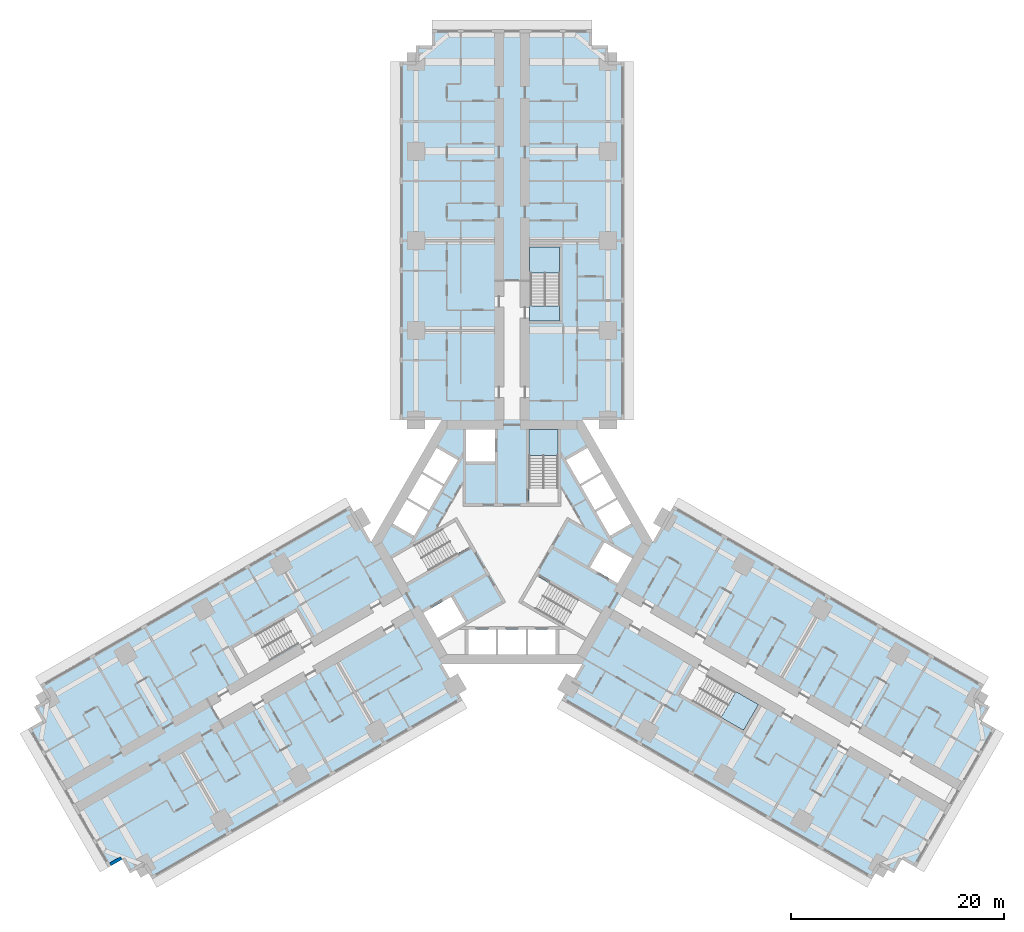
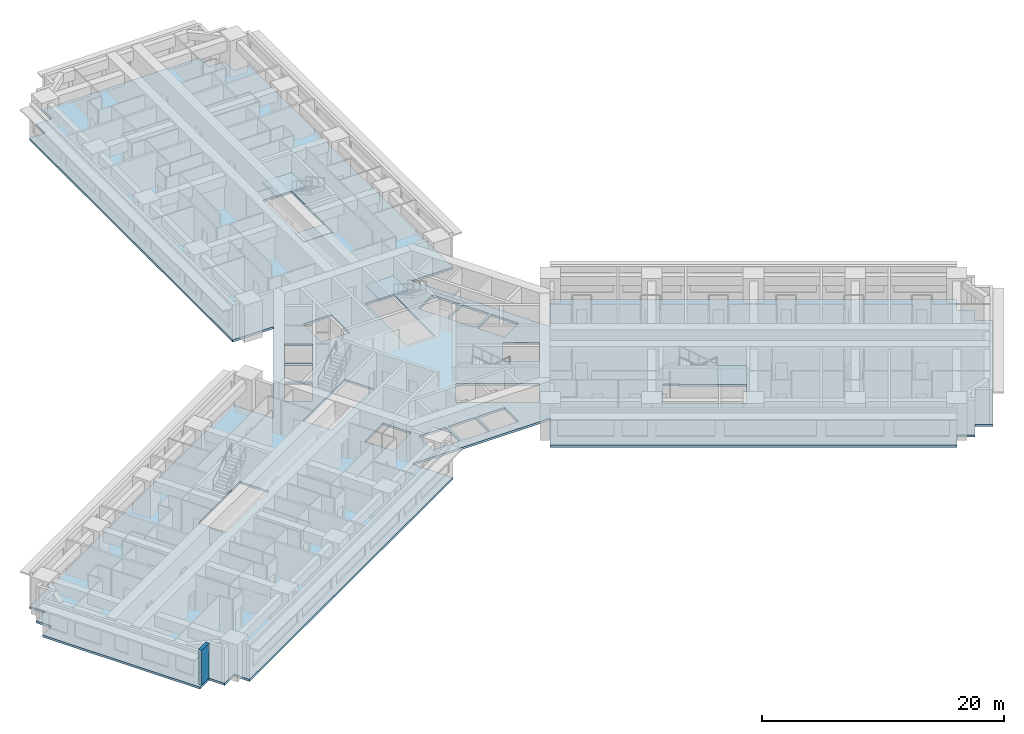
# One storey, part 2 of 16: 5 slabs, 1 wall, 3 elements without a shape of their own.
"""IFC4 building model written with IfcOpenShell, lengths in metres."""

from ifc_helpers import new_model, si_unit, direction, frame, frame_2d, origin, place, context, subcontext, project, spatial, polyline, rectangle, outline, extrude, material, layer, layer_set, type_object, element, aggregate, save


model = new_model("IFC4")

# Units and contexts
model_context = context("Model", 3, precision=1e-05, world=origin(), true_north=direction((0.0, 1.0)))
body_context = subcontext(model_context, "Body", "Model", "MODEL_VIEW")
ifc_project = project(units=[si_unit("LENGTHUNIT", "METRE"), si_unit("AREAUNIT", "SQUARE_METRE"), si_unit("VOLUMEUNIT", "CUBIC_METRE"), si_unit("PLANEANGLEUNIT", "RADIAN"), si_unit("MASSUNIT", "GRAM", prefix="KILO")], contexts=[model_context])

# Site, building, storey
site_placement = place(None, origin())
site = spatial("IfcSite", under=ifc_project, at=site_placement, CompositionType="ELEMENT")
building_placement = place(site_placement, origin())
building = spatial("IfcBuilding", under=site, at=building_placement, Name="Impinga Residences", CompositionType="ELEMENT")
storey_placement = place(building_placement, frame((0.0, 0.0, 44.75)))
storey = spatial("IfcBuildingStorey", under=building, at=storey_placement, Name="L10", CompositionType="ELEMENT", Elevation=44.75)

# Slab
ifc_material_1 = material(Name="Concrete C60/75", Category="concrete")
ifc_layer_1 = layer(ifc_material_1, 0.219970703125)
ifc_layer_set_1 = layer_set([ifc_layer_1], Name="Concrete C60/75")
slab_type_1 = type_object("IfcSlabType", Name="FS1 tower floor slab 220", PredefinedType="FLOOR", material=ifc_layer_set_1)
slab_1_placement = place(storey_placement, frame((0.0, 0.0, -0.219970703125)))
element("IfcSlab", 1, at=slab_1_placement, inside=storey, type_object=slab_type_1, Name="Floor slab FS1 L10", PredefinedType="FLOOR", context=body_context, shape_type="SweptSolid", body=[
    extrude(outline(polyline([(-34.49853515625, -30.31005859375), (-35.797607421875, -31.06005859375), (-36.547607421875, -29.760986328125), (-37.846435546875, -30.510986328125), (-45.346435546875, -17.5205078125), (-44.047607421875, -16.7705078125), (-44.797607421875, -15.471435546875), (-43.49853515625, -14.721435546875), (-44.24853515625, -13.422607421875), (-15.14990234375, 3.37744140625), (-13.199951171875, 0.0), (-6.60009765625, 11.431640625), (-10.5, 11.431640625), (-10.5, 45.031494140625), (-9.0, 45.031494140625), (-9.0, 46.531494140625), (-7.5, 46.531494140625), (-7.5, 48.031494140625), (7.5, 48.031494140625), (7.5, 46.531494140625), (9.0, 46.531494140625), (9.0, 45.031494140625), (10.5, 45.031494140625), (10.5, 11.431640625), (6.60009765625, 11.431640625), (13.199951171875, 0.0), (15.14990234375, 3.37744140625), (44.24853515625, -13.422607421875), (43.49853515625, -14.721435546875), (44.797607421875, -15.471435546875), (44.047607421875, -16.7705078125), (45.346435546875, -17.5205078125), (37.846435546875, -30.510986328125), (36.547607421875, -29.760986328125), (35.797607421875, -31.06005859375), (34.49853515625, -30.31005859375), (33.74853515625, -31.609130859375), (4.64990234375, -14.80908203125), (9.900146484375, -5.7158203125), (6.60009765625, -11.431640625), (-6.60009765625, -11.431640625), (-9.900146484375, -5.7158203125), (-4.64990234375, -14.80908203125), (-33.74853515625, -31.609130859375), (-34.49853515625, -30.31005859375)]), holes=[polyline([(-21.391357421875, -7.2119140625), (-26.154541015625, -9.9619140625), (-24.8046875, -12.30029296875), (-20.04150390625, -9.55029296875), (-19.991455078125, -9.63671875), (-18.779052734375, -8.936767578125), (-18.8291015625, -8.850341796875), (-18.8291015625, -8.850341796875), (-20.178955078125, -6.511962890625), (-21.391357421875, -7.2119140625), (-21.391357421875, -7.2119140625)]), polyline([(-1.5, -8.2314453125), (-4.10009765625, -8.2314453125), (-4.10009765625, -10.531494140625), (-1.5, -10.531494140625), (-1.5, -8.2314453125)]), polyline([(1.300048828125, -8.2314453125), (-1.300048828125, -8.2314453125), (-1.300048828125, -10.531494140625), (1.300048828125, -10.531494140625), (1.300048828125, -8.2314453125)]), polyline([(1.5, -8.2314453125), (1.5, -10.531494140625), (4.10009765625, -10.531494140625), (4.10009765625, -8.2314453125), (1.5, -8.2314453125)]), polyline([(-5.72119140625, -5.150634765625), (-8.320556640625, -6.6513671875), (-6.970458984375, -8.98974609375), (-4.37109375, -7.489013671875), (-5.72119140625, -5.150634765625)]), polyline([(-3.943603515625, -0.429443359375), (-5.293701171875, 1.908935546875), (-11.2705078125, -1.541748046875), (-9.920654296875, -3.880126953125), (-3.943603515625, -0.429443359375)]), polyline([(-9.1787109375, 0.56494140625), (-7.878662109375, 2.816650390625), (-9.87060546875, 3.966796875), (-11.170654296875, 1.715087890625), (-9.1787109375, 0.56494140625)]), polyline([(-6.478759765625, 5.24169921875), (-8.470458984375, 6.3916015625), (-9.7705078125, 4.139892578125), (-7.77880859375, 2.989990234375), (-6.478759765625, 5.24169921875)]), polyline([(-6.378662109375, 5.414794921875), (-5.07861328125, 7.66650390625), (-7.070556640625, 8.81640625), (-8.37060546875, 6.564697265625), (-6.378662109375, 5.414794921875)]), polyline([(-4.300048828125, 7.530029296875), (-1.60009765625, 7.530029296875), (-1.60009765625, 10.531494140625), (-4.300048828125, 10.531494140625), (-4.300048828125, 7.530029296875)]), polyline([(15.72900390625, -14.219482421875), (21.70458984375, -17.669677734375), (23.0546875, -15.331298828125), (18.29150390625, -12.581298828125), (18.341552734375, -12.49462890625), (17.129150390625, -11.794677734375), (15.72900390625, -14.219482421875)]), polyline([(0.99365234375, -5.538818359375), (6.970458984375, -8.98974609375), (8.320556640625, -6.6513671875), (2.34375, -3.20068359375), (0.99365234375, -5.538818359375)]), polyline([(8.671142578125, -0.041015625), (7.3212890625, -2.37939453125), (9.920654296875, -3.880126953125), (11.2705078125, -1.541748046875), (8.671142578125, -0.041015625)]), polyline([(7.878662109375, 2.816650390625), (9.1787109375, 0.56494140625), (11.170654296875, 1.715087890625), (9.87060546875, 3.966796875), (7.878662109375, 2.816650390625)]), polyline([(7.77880859375, 2.989990234375), (9.7705078125, 4.139892578125), (8.470458984375, 6.3916015625), (6.478759765625, 5.24169921875), (7.77880859375, 2.989990234375)]), polyline([(1.60009765625, 3.6298828125), (4.300048828125, 3.6298828125), (4.300048828125, 10.531494140625), (1.60009765625, 10.531494140625), (1.60009765625, 3.6298828125)]), polyline([(5.07861328125, 7.66650390625), (6.378662109375, 5.414794921875), (8.37060546875, 6.564697265625), (7.070556640625, 8.81640625), (5.07861328125, 7.66650390625)]), polyline([(1.75, 22.131591796875), (1.64990234375, 22.131591796875), (1.64990234375, 20.7314453125), (1.75, 20.7314453125), (4.449951171875, 20.7314453125), (4.449951171875, 22.131591796875), (4.449951171875, 27.631591796875), (1.75, 27.631591796875), (1.75, 22.131591796875)])]), origin(), (0.0, 0.0, 1.0), 0.219970703125),
])

# Stair, slab
ifc_material_2 = material(Name="Concrete C40/50", Category="concrete")
stair_type_1 = type_object("IfcStairType", Name="STR core stair 3750 storey, 24 risers", PredefinedType="HALF_TURN_STAIR", material=ifc_material_2)
stair_1_placement = place(storey_placement, origin())
stair_1 = element("IfcStair", 2, at=stair_1_placement, inside=storey, type_object=stair_type_1, Name="Stair ST1 L10", PredefinedType="HALF_TURN_STAIR")
ifc_layer_2 = layer(ifc_material_2, 0.199951171875)
ifc_layer_set_2 = layer_set([ifc_layer_2], Name="Concrete C40/50")
slab_type_2 = type_object("IfcSlabType", Name="LS1 stair landing 200", PredefinedType="LANDING", material=ifc_layer_set_2)
slab_2_placement = place(storey_placement, frame((0.0, 0.0, 1.675048828125)))
slab_2 = element("IfcSlab", 3, at=slab_2_placement, type_object=slab_type_2, Name="ST1 landing 2", PredefinedType="LANDING", context=body_context, shape_type="SweptSolid", body=[
    extrude(outline(polyline([(1.60009765625, 8.10009765625), (4.300048828125, 8.10009765625), (4.300048828125, 10.531494140625), (1.60009765625, 10.531494140625), (1.60009765625, 8.10009765625)])), origin(), (0.0, 0.0, 1.0), 0.199951171875),
])
aggregate(stair_1, [slab_2])

# Stair, slabs
stair_type_2 = type_object("IfcStairType", Name="STR wing stair 3750 storey, 24 risers", PredefinedType="HALF_TURN_STAIR", material=ifc_material_2)
stair_2_placement = place(storey_placement, origin())
stair_2 = element("IfcStair", 4, at=stair_2_placement, inside=storey, type_object=stair_type_2, Name="Stair WS1 L10", PredefinedType="HALF_TURN_STAIR")
slab_3_placement = place(storey_placement, frame((0.0, 0.0, -0.199951171875)))
slab_3 = element("IfcSlab", 5, at=slab_3_placement, type_object=slab_type_2, Name="WS1 landing 1", PredefinedType="LANDING", context=body_context, shape_type="SweptSolid", body=[
    extrude(outline(polyline([(1.64990234375, 20.7314453125), (4.449951171875, 20.7314453125), (4.449951171875, 22.1416015625), (1.64990234375, 22.1416015625), (1.64990234375, 20.7314453125)])), origin(), (0.0, 0.0, 1.0), 0.199951171875),
])
slab_4_placement = place(storey_placement, frame((0.0, 0.0, 1.675048828125)))
slab_4 = element("IfcSlab", 6, at=slab_4_placement, type_object=slab_type_2, Name="WS1 landing 2", PredefinedType="LANDING", context=body_context, shape_type="SweptSolid", body=[
    extrude(outline(polyline([(1.64990234375, 25.201416015625), (4.449951171875, 25.201416015625), (4.449951171875, 27.631591796875), (1.64990234375, 27.631591796875), (1.64990234375, 25.201416015625)])), origin(), (0.0, 0.0, 1.0), 0.199951171875),
])
aggregate(stair_2, [slab_3, slab_4])

# Stair, slab
stair_3_placement = place(storey_placement, origin())
stair_3 = element("IfcStair", 7, at=stair_3_placement, inside=storey, type_object=stair_type_2, Name="Stair WS3 L10", PredefinedType="HALF_TURN_STAIR")
slab_5_placement = place(storey_placement, frame((0.0, 0.0, 1.675048828125)))
slab_5 = element("IfcSlab", 8, at=slab_5_placement, type_object=slab_type_2, Name="WS3 landing 2", PredefinedType="LANDING", context=body_context, shape_type="SweptSolid", body=[
    extrude(outline(polyline([(21.000244140625, -14.02978515625), (19.60009765625, -16.45458984375), (21.70458984375, -17.669677734375), (23.1044921875, -15.24462890625), (21.000244140625, -14.02978515625)])), origin(), (0.0, 0.0, 1.0), 0.199951171875),
])
aggregate(stair_3, [slab_5])

# Wall
ifc_material_3 = material(Name="Terracotta rainscreen on blockwork", Category="masonry")
ifc_layer_3 = layer(ifc_material_3, 0.300048828125)
ifc_layer_set_3 = layer_set([ifc_layer_3], Name="EW1 external wall, terracotta rainscreen on blockwork 300")
wall_type = type_object("IfcWallType", Name="EW1 external wall, terracotta rainscreen on blockwork 300", PredefinedType="SOLIDWALL", material=ifc_layer_set_3)
wall_placement = place(storey_placement, frame((-36.626708984375, -29.633544921875, 0.0), z_axis=(0.0, 0.0, 1.0), x_axis=(-0.866059708757, -0.499940577336, 0.0)))
element("IfcWall", 9, at=wall_placement, inside=storey, type_object=wall_type, Name="External wall EW1 L10", PredefinedType="SOLIDWALL", context=body_context, shape_type="SweptSolid", body=[
    extrude(rectangle(XDim=1.195068359375, YDim=0.300048828125, at=frame_2d((0.59765625, 0.0))), origin(), (0.0, 0.0, 1.0), 3.530029296875),
])

save(model, "model.ifc")
